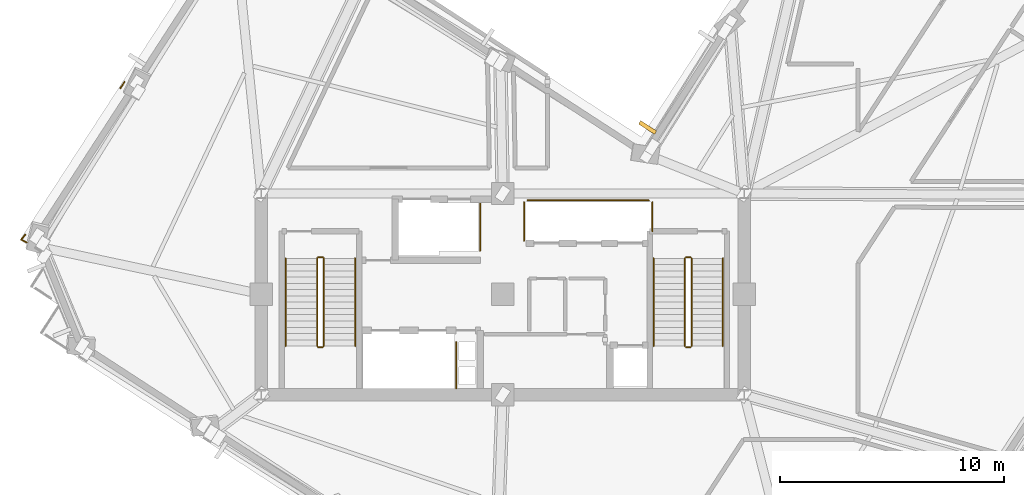
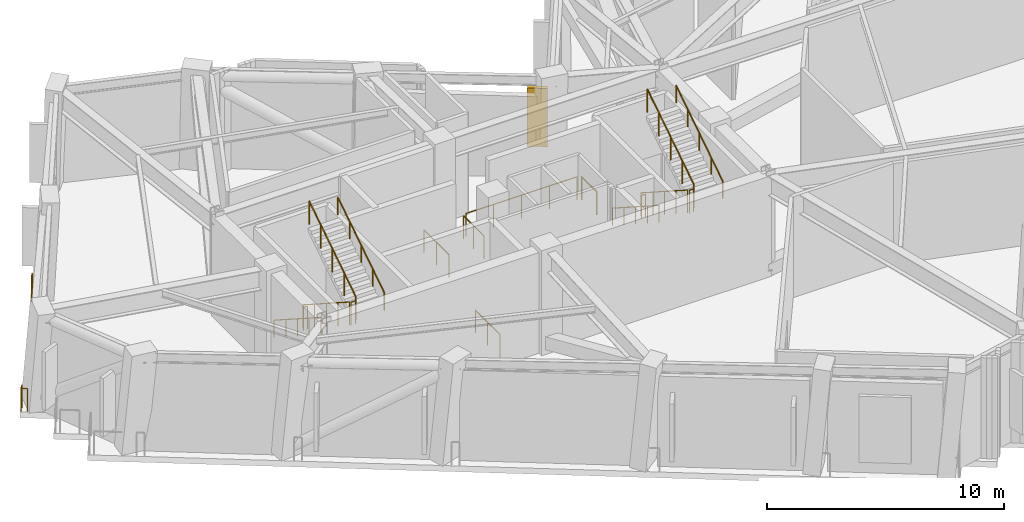
# One storey, part 8 of 11: 19 railings, 1 shading device.
"""IFC4 building model written with IfcOpenShell, lengths in metres."""

from ifc_helpers import new_model, si_unit, direction, frame, origin, origin_2d, place, context, subcontext, project, spatial, rectangle, circle, extrude, material, layer, layer_set, type_object, element, save


model = new_model("IFC4")

# Units and contexts
model_context = context("Model", 3, precision=1e-05, world=origin(), true_north=direction((0.0, 1.0)))
body_context = subcontext(model_context, "Body", "Model", "MODEL_VIEW")
ifc_project = project(units=[si_unit("LENGTHUNIT", "METRE"), si_unit("AREAUNIT", "SQUARE_METRE"), si_unit("VOLUMEUNIT", "CUBIC_METRE"), si_unit("PLANEANGLEUNIT", "RADIAN"), si_unit("MASSUNIT", "GRAM", prefix="KILO")], contexts=[model_context])

# Site, building, storey
site_placement = place(None, origin())
site = spatial("IfcSite", under=ifc_project, at=site_placement, CompositionType="ELEMENT")
building_placement = place(site_placement, origin())
building = spatial("IfcBuilding", under=site, at=building_placement, Name="Gaonmaruhae Medical Tower", CompositionType="ELEMENT")
storey_placement = place(building_placement, frame((0.0, 0.0, 267.199951171875)))
storey = spatial("IfcBuildingStorey", under=building, at=storey_placement, Name="L64", CompositionType="ELEMENT", Elevation=267.199951171875)

# Railings
ifc_material_1 = material(Name="Stainless steel 316L and laminated safety glass", Category="steel")
ifc_layer = layer(ifc_material_1, 0.080078125)
ifc_layer_set = layer_set([ifc_layer], Name="Stainless steel 316L and laminated safety glass")
railing_type_1 = type_object("IfcRailingType", Name="GD-120 Outdoor Terrace Safety Glass & Steel Balustrade", PredefinedType="BALUSTRADE", material=ifc_layer_set)
railing_1_placement = place(storey_placement, frame((7.884033203125, 21.793701171875, 0.0)))
element("IfcRailing", 1, at=railing_1_placement, inside=storey, type_object=railing_type_1, Name="L64 Perimeter Slab Edge Safety Balustrade 09", PredefinedType="BALUSTRADE", context=body_context, shape_type="SweptSolid", body=[
    extrude(circle(Radius=0.02392578125, at=origin_2d()), frame((0.0, 0.0, 1.17578125), z_axis=(-0.544836150977, -0.838542526404, 0.0), x_axis=(0.838542526404, -0.544836150977, 0.0)), (0.0, 0.0, 1.0), 0.33837890625),
    extrude(circle(Radius=0.02099609375, at=origin_2d()), origin(), (0.0, 0.0, 1.0), 1.15185546875),
    extrude(circle(Radius=0.02099609375, at=origin_2d()), frame((-0.184326171875, -0.28369140625, 0.0)), (0.0, 0.0, 1.0), 1.15185546875),
])
railing_2_placement = place(storey_placement, frame((3.443603515625, 14.956298828125, 0.0)))
element("IfcRailing", 2, at=railing_2_placement, inside=storey, type_object=railing_type_1, Name="L64 Perimeter Corner Safety Balustrade 22", PredefinedType="BALUSTRADE", context=body_context, shape_type="SweptSolid", body=[
    extrude(circle(Radius=0.02392578125, at=origin_2d()), frame((0.0, 0.0, 1.17578125), z_axis=(-0.642773256367, -0.766056486755, 0.0), x_axis=(0.766056486755, -0.642773256367, 0.0)), (0.0, 0.0, 1.0), 0.287109375),
    extrude(circle(Radius=0.02392578125, at=origin_2d()), frame((-0.1845703125, -0.219970703125, 1.17578125), z_axis=(0.898637671992, -0.438691616602, 0.0), x_axis=(0.438691616602, 0.898637671992, 0.0)), (0.0, 0.0, 1.0), 0.287109375),
    extrude(circle(Radius=0.02099609375, at=origin_2d()), origin(), (0.0, 0.0, 1.0), 1.15185546875),
    extrude(circle(Radius=0.02099609375, at=origin_2d()), frame((-0.1845703125, -0.219970703125, 0.0)), (0.0, 0.0, 1.0), 1.15185546875),
    extrude(circle(Radius=0.02099609375, at=origin_2d()), frame((0.073486328125, -0.345947265625, 0.0)), (0.0, 0.0, 1.0), 1.15185546875),
])
ifc_material_2 = material(Name="Stainless steel 304 handrail", Category="steel")
railing_type_2 = type_object("IfcRailingType", Name="HR-092 Continuous Stainless Steel Stair Handrail", PredefinedType="HANDRAIL", material=ifc_material_2)
railing_3_placement = place(storey_placement, frame((15.10009765625, 13.89990234375, 0.179931640625)))
element("IfcRailing", 3, at=railing_3_placement, inside=storey, type_object=railing_type_2, Name="L64 ST-01 stair handrail 1", PredefinedType="HANDRAIL", context=body_context, shape_type="SweptSolid", body=[
    extrude(circle(Radius=0.02392578125, at=origin_2d()), frame((0.0, 0.0, 0.8759765625), z_axis=(0.0, -0.841171666519, 0.540768182723), x_axis=(1.0, 0.0, 0.0)), (0.0, 0.0, 1.0), 4.66015625),
    extrude(circle(Radius=0.02099609375, at=origin_2d()), origin(), (0.0, 0.0, 1.0), 0.851806640625),
    extrude(circle(Radius=0.02099609375, at=origin_2d()), frame((0.0, -0.97998046875, 0.6298828125)), (0.0, 0.0, 1.0), 0.851806640625),
    extrude(circle(Radius=0.02099609375, at=origin_2d()), frame((0.0, -1.9599609375, 1.260009765625)), (0.0, 0.0, 1.0), 0.851806640625),
    extrude(circle(Radius=0.02099609375, at=origin_2d()), frame((0.0, -2.93994140625, 1.89013671875)), (0.0, 0.0, 1.0), 0.851806640625),
    extrude(circle(Radius=0.02099609375, at=origin_2d()), frame((0.0, -3.919921875, 2.52001953125)), (0.0, 0.0, 1.0), 0.851806640625),
])
railing_4_placement = place(storey_placement, frame((18.199951171875, 9.97998046875, 2.880126953125)))
element("IfcRailing", 4, at=railing_4_placement, inside=storey, type_object=railing_type_2, Name="L64 ST-01 stair handrail 2", PredefinedType="HANDRAIL", context=body_context, shape_type="SweptSolid", body=[
    extrude(circle(Radius=0.02392578125, at=origin_2d()), frame((0.0, 0.0, 0.8759765625), z_axis=(0.0, 0.841171666519, 0.540768182723), x_axis=(-1.0, 0.0, 0.0)), (0.0, 0.0, 1.0), 4.66015625),
    extrude(circle(Radius=0.02099609375, at=origin_2d()), origin(), (0.0, 0.0, 1.0), 0.851806640625),
    extrude(circle(Radius=0.02099609375, at=origin_2d()), frame((0.0, 0.97998046875, 0.6298828125)), (0.0, 0.0, 1.0), 0.851806640625),
    extrude(circle(Radius=0.02099609375, at=origin_2d()), frame((0.0, 1.9599609375, 1.260009765625)), (0.0, 0.0, 1.0), 0.851806640625),
    extrude(circle(Radius=0.02099609375, at=origin_2d()), frame((0.0, 2.93994140625, 1.89013671875)), (0.0, 0.0, 1.0), 0.851806640625),
    extrude(circle(Radius=0.02099609375, at=origin_2d()), frame((0.0, 3.919921875, 2.52001953125)), (0.0, 0.0, 1.0), 0.851806640625),
])
railing_5_placement = place(storey_placement, frame((31.550048828125, 13.89990234375, 0.179931640625)))
element("IfcRailing", 5, at=railing_5_placement, inside=storey, type_object=railing_type_2, Name="L64 ST-02 stair handrail 1", PredefinedType="HANDRAIL", context=body_context, shape_type="SweptSolid", body=[
    extrude(circle(Radius=0.02392578125, at=origin_2d()), frame((0.0, 0.0, 0.8759765625), z_axis=(0.0, -0.841171666519, 0.540768182723), x_axis=(1.0, 0.0, 0.0)), (0.0, 0.0, 1.0), 4.66015625),
    extrude(circle(Radius=0.02099609375, at=origin_2d()), origin(), (0.0, 0.0, 1.0), 0.851806640625),
    extrude(circle(Radius=0.02099609375, at=origin_2d()), frame((0.0, -0.97998046875, 0.6298828125)), (0.0, 0.0, 1.0), 0.851806640625),
    extrude(circle(Radius=0.02099609375, at=origin_2d()), frame((0.0, -1.9599609375, 1.260009765625)), (0.0, 0.0, 1.0), 0.851806640625),
    extrude(circle(Radius=0.02099609375, at=origin_2d()), frame((0.0, -2.93994140625, 1.89013671875)), (0.0, 0.0, 1.0), 0.851806640625),
    extrude(circle(Radius=0.02099609375, at=origin_2d()), frame((0.0, -3.919921875, 2.52001953125)), (0.0, 0.0, 1.0), 0.851806640625),
])
railing_6_placement = place(storey_placement, frame((34.64990234375, 9.97998046875, 2.880126953125)))
element("IfcRailing", 6, at=railing_6_placement, inside=storey, type_object=railing_type_2, Name="L64 ST-02 stair handrail 2", PredefinedType="HANDRAIL", context=body_context, shape_type="SweptSolid", body=[
    extrude(circle(Radius=0.02392578125, at=origin_2d()), frame((0.0, 0.0, 0.8759765625), z_axis=(0.0, 0.841171666519, 0.540768182723), x_axis=(-1.0, 0.0, 0.0)), (0.0, 0.0, 1.0), 4.66015625),
    extrude(circle(Radius=0.02099609375, at=origin_2d()), origin(), (0.0, 0.0, 1.0), 0.851806640625),
    extrude(circle(Radius=0.02099609375, at=origin_2d()), frame((0.0, 0.97998046875, 0.6298828125)), (0.0, 0.0, 1.0), 0.851806640625),
    extrude(circle(Radius=0.02099609375, at=origin_2d()), frame((0.0, 1.9599609375, 1.260009765625)), (0.0, 0.0, 1.0), 0.851806640625),
    extrude(circle(Radius=0.02099609375, at=origin_2d()), frame((0.0, 2.93994140625, 1.89013671875)), (0.0, 0.0, 1.0), 0.851806640625),
    extrude(circle(Radius=0.02099609375, at=origin_2d()), frame((0.0, 3.919921875, 2.52001953125)), (0.0, 0.0, 1.0), 0.851806640625),
])

# Shading device
ifc_material_3 = material(Name="Pigmented coral precast concrete C45/55", Category="concrete")
shading_device_type = type_object("IfcShadingDeviceType", Name="SD-FIN1 Tower Vertical Coral Precast Shading Fin", PredefinedType="USERDEFINED", material=ifc_material_3)
shading_device_placement = place(storey_placement, frame((31.28271484375, 19.75341796875, 0.83251953125), z_axis=(0.0, 0.0, 1.0), x_axis=(0.544624397369, 0.838680073562, 0.0)))
element("IfcShadingDevice", 7, at=shading_device_placement, inside=storey, type_object=shading_device_type, Name="L64 Vertical Coral Precast Shading Fin EN02", ObjectType="FIN", PredefinedType="USERDEFINED", context=body_context, shape_type="SweptSolid", body=[
    extrude(rectangle(XDim=0.179931640625, YDim=0.85009765625, at=origin_2d()), origin(), (0.0, 0.0, 1.0), 3.0),
])

# Railings
ifc_material_4 = material(Name="Stainless steel 304 balustrade", Category="steel")
railing_type_3 = type_object("IfcRailingType", Name="SG-112 Stair Well & Ramp Void Safety Balustrade", PredefinedType="BALUSTRADE", material=ifc_material_4)
railing_7_placement = place(storey_placement, frame((16.5, 13.89990234375, 0.179931640625)))
element("IfcRailing", 8, at=railing_7_placement, inside=storey, type_object=railing_type_3, Name="L64 ST-01 stair guard 1", PredefinedType="BALUSTRADE", context=body_context, shape_type="SweptSolid", body=[
    extrude(circle(Radius=0.02392578125, at=origin_2d()), frame((0.0, 0.0, 1.17578125), z_axis=(0.0, -0.841171666519, 0.540768182723), x_axis=(1.0, 0.0, 0.0)), (0.0, 0.0, 1.0), 4.66015625),
    extrude(circle(Radius=0.02099609375, at=origin_2d()), origin(), (0.0, 0.0, 1.0), 1.15185546875),
    extrude(circle(Radius=0.02099609375, at=origin_2d()), frame((0.0, -0.97998046875, 0.6298828125)), (0.0, 0.0, 1.0), 1.15185546875),
    extrude(circle(Radius=0.02099609375, at=origin_2d()), frame((0.0, -1.9599609375, 1.260009765625)), (0.0, 0.0, 1.0), 1.15185546875),
    extrude(circle(Radius=0.02099609375, at=origin_2d()), frame((0.0, -2.93994140625, 1.89013671875)), (0.0, 0.0, 1.0), 1.15185546875),
    extrude(circle(Radius=0.02099609375, at=origin_2d()), frame((0.0, -3.919921875, 2.52001953125)), (0.0, 0.0, 1.0), 1.15185546875),
])
railing_8_placement = place(storey_placement, frame((16.550048828125, 9.929931640625, 2.699951171875)))
element("IfcRailing", 9, at=railing_8_placement, inside=storey, type_object=railing_type_3, Name="L64 ST-01 stair guard 2", PredefinedType="BALUSTRADE", context=body_context, shape_type="SweptSolid", body=[
    extrude(circle(Radius=0.02392578125, at=origin_2d()), frame((0.0, 0.0, 1.17578125), z_axis=(1.0, 0.0, 0.0), x_axis=(0.0, 1.0, 0.0)), (0.0, 0.0, 1.0), 0.199951171875),
    extrude(circle(Radius=0.02099609375, at=origin_2d()), origin(), (0.0, 0.0, 1.0), 1.15185546875),
    extrude(circle(Radius=0.02099609375, at=origin_2d()), frame((0.199951171875, 0.0, 0.0)), (0.0, 0.0, 1.0), 1.15185546875),
])
railing_9_placement = place(storey_placement, frame((16.800048828125, 9.97998046875, 2.880126953125)))
element("IfcRailing", 10, at=railing_9_placement, inside=storey, type_object=railing_type_3, Name="L64 ST-01 stair guard 3", PredefinedType="BALUSTRADE", context=body_context, shape_type="SweptSolid", body=[
    extrude(circle(Radius=0.02392578125, at=origin_2d()), frame((0.0, 0.0, 1.17578125), z_axis=(0.0, 0.841171666519, 0.540768182723), x_axis=(-1.0, 0.0, 0.0)), (0.0, 0.0, 1.0), 4.66015625),
    extrude(circle(Radius=0.02099609375, at=origin_2d()), origin(), (0.0, 0.0, 1.0), 1.15185546875),
    extrude(circle(Radius=0.02099609375, at=origin_2d()), frame((0.0, 0.97998046875, 0.6298828125)), (0.0, 0.0, 1.0), 1.15185546875),
    extrude(circle(Radius=0.02099609375, at=origin_2d()), frame((0.0, 1.9599609375, 1.260009765625)), (0.0, 0.0, 1.0), 1.15185546875),
    extrude(circle(Radius=0.02099609375, at=origin_2d()), frame((0.0, 2.93994140625, 1.89013671875)), (0.0, 0.0, 1.0), 1.15185546875),
    extrude(circle(Radius=0.02099609375, at=origin_2d()), frame((0.0, 3.919921875, 2.52001953125)), (0.0, 0.0, 1.0), 1.15185546875),
])
railing_10_placement = place(storey_placement, frame((16.550048828125, 13.949951171875, 0.0)))
element("IfcRailing", 11, at=railing_10_placement, inside=storey, type_object=railing_type_3, Name="L64 ST-01 stair guard 4", PredefinedType="BALUSTRADE", context=body_context, shape_type="SweptSolid", body=[
    extrude(circle(Radius=0.02392578125, at=origin_2d()), frame((0.0, 0.0, 1.17578125), z_axis=(1.0, 0.0, 0.0), x_axis=(0.0, 1.0, 0.0)), (0.0, 0.0, 1.0), 0.199951171875),
    extrude(circle(Radius=0.02099609375, at=origin_2d()), origin(), (0.0, 0.0, 1.0), 1.15185546875),
    extrude(circle(Radius=0.02099609375, at=origin_2d()), frame((0.199951171875, 0.0, 0.0)), (0.0, 0.0, 1.0), 1.15185546875),
])
railing_11_placement = place(storey_placement, frame((32.949951171875, 13.89990234375, 0.179931640625)))
element("IfcRailing", 12, at=railing_11_placement, inside=storey, type_object=railing_type_3, Name="L64 ST-02 stair guard 1", PredefinedType="BALUSTRADE", context=body_context, shape_type="SweptSolid", body=[
    extrude(circle(Radius=0.02392578125, at=origin_2d()), frame((0.0, 0.0, 1.17578125), z_axis=(0.0, -0.841171666519, 0.540768182723), x_axis=(1.0, 0.0, 0.0)), (0.0, 0.0, 1.0), 4.66015625),
    extrude(circle(Radius=0.02099609375, at=origin_2d()), origin(), (0.0, 0.0, 1.0), 1.15185546875),
    extrude(circle(Radius=0.02099609375, at=origin_2d()), frame((0.0, -0.97998046875, 0.6298828125)), (0.0, 0.0, 1.0), 1.15185546875),
    extrude(circle(Radius=0.02099609375, at=origin_2d()), frame((0.0, -1.9599609375, 1.260009765625)), (0.0, 0.0, 1.0), 1.15185546875),
    extrude(circle(Radius=0.02099609375, at=origin_2d()), frame((0.0, -2.93994140625, 1.89013671875)), (0.0, 0.0, 1.0), 1.15185546875),
    extrude(circle(Radius=0.02099609375, at=origin_2d()), frame((0.0, -3.919921875, 2.52001953125)), (0.0, 0.0, 1.0), 1.15185546875),
])
railing_12_placement = place(storey_placement, frame((33.0, 9.929931640625, 2.699951171875)))
element("IfcRailing", 13, at=railing_12_placement, inside=storey, type_object=railing_type_3, Name="L64 ST-02 stair guard 2", PredefinedType="BALUSTRADE", context=body_context, shape_type="SweptSolid", body=[
    extrude(circle(Radius=0.02392578125, at=origin_2d()), frame((0.0, 0.0, 1.17578125), z_axis=(1.0, 0.0, 0.0), x_axis=(0.0, 1.0, 0.0)), (0.0, 0.0, 1.0), 0.199951171875),
    extrude(circle(Radius=0.02099609375, at=origin_2d()), origin(), (0.0, 0.0, 1.0), 1.15185546875),
    extrude(circle(Radius=0.02099609375, at=origin_2d()), frame((0.199951171875, 0.0, 0.0)), (0.0, 0.0, 1.0), 1.15185546875),
])
railing_13_placement = place(storey_placement, frame((33.25, 9.97998046875, 2.880126953125)))
element("IfcRailing", 14, at=railing_13_placement, inside=storey, type_object=railing_type_3, Name="L64 ST-02 stair guard 3", PredefinedType="BALUSTRADE", context=body_context, shape_type="SweptSolid", body=[
    extrude(circle(Radius=0.02392578125, at=origin_2d()), frame((0.0, 0.0, 1.17578125), z_axis=(0.0, 0.841171666519, 0.540768182723), x_axis=(-1.0, 0.0, 0.0)), (0.0, 0.0, 1.0), 4.66015625),
    extrude(circle(Radius=0.02099609375, at=origin_2d()), origin(), (0.0, 0.0, 1.0), 1.15185546875),
    extrude(circle(Radius=0.02099609375, at=origin_2d()), frame((0.0, 0.97998046875, 0.6298828125)), (0.0, 0.0, 1.0), 1.15185546875),
    extrude(circle(Radius=0.02099609375, at=origin_2d()), frame((0.0, 1.9599609375, 1.260009765625)), (0.0, 0.0, 1.0), 1.15185546875),
    extrude(circle(Radius=0.02099609375, at=origin_2d()), frame((0.0, 2.93994140625, 1.89013671875)), (0.0, 0.0, 1.0), 1.15185546875),
    extrude(circle(Radius=0.02099609375, at=origin_2d()), frame((0.0, 3.919921875, 2.52001953125)), (0.0, 0.0, 1.0), 1.15185546875),
])
railing_14_placement = place(storey_placement, frame((33.0, 13.949951171875, 0.0)))
element("IfcRailing", 15, at=railing_14_placement, inside=storey, type_object=railing_type_3, Name="L64 ST-02 stair guard 4", PredefinedType="BALUSTRADE", context=body_context, shape_type="SweptSolid", body=[
    extrude(circle(Radius=0.02392578125, at=origin_2d()), frame((0.0, 0.0, 1.17578125), z_axis=(1.0, 0.0, 0.0), x_axis=(0.0, 1.0, 0.0)), (0.0, 0.0, 1.0), 0.199951171875),
    extrude(circle(Radius=0.02099609375, at=origin_2d()), origin(), (0.0, 0.0, 1.0), 1.15185546875),
    extrude(circle(Radius=0.02099609375, at=origin_2d()), frame((0.199951171875, 0.0, 0.0)), (0.0, 0.0, 1.0), 1.15185546875),
])
railing_15_placement = place(storey_placement, frame((22.719970703125, 10.159912109375, 0.0)))
element("IfcRailing", 16, at=railing_15_placement, inside=storey, type_object=railing_type_3, Name="L64 Shaft Edge Safety Guard 24", PredefinedType="BALUSTRADE", context=body_context, shape_type="SweptSolid", body=[
    extrude(circle(Radius=0.02392578125, at=origin_2d()), frame((0.0, 0.0, 1.17578125), z_axis=(0.0, -1.0, 0.0), x_axis=(1.0, 0.0, 0.0)), (0.0, 0.0, 1.0), 2.06494140625),
    extrude(circle(Radius=0.02099609375, at=origin_2d()), origin(), (0.0, 0.0, 1.0), 1.15185546875),
    extrude(circle(Radius=0.02099609375, at=origin_2d()), frame((0.0, -1.032470703125, 0.0)), (0.0, 0.0, 1.0), 1.15185546875),
    extrude(circle(Radius=0.02099609375, at=origin_2d()), frame((0.0, -2.06494140625, 0.0)), (0.0, 0.0, 1.0), 1.15185546875),
])
railing_16_placement = place(storey_placement, frame((23.794921875, 16.35498046875, 0.0)))
element("IfcRailing", 17, at=railing_16_placement, inside=storey, type_object=railing_type_3, Name="L64 Shaft Edge Safety Guard 25", PredefinedType="BALUSTRADE", context=body_context, shape_type="SweptSolid", body=[
    extrude(circle(Radius=0.02392578125, at=origin_2d()), frame((0.0, 0.0, 1.17578125), z_axis=(0.0, -1.0, 0.0), x_axis=(1.0, 0.0, 0.0)), (0.0, 0.0, 1.0), 2.10986328125),
    extrude(circle(Radius=0.02099609375, at=origin_2d()), origin(), (0.0, 0.0, 1.0), 1.15185546875),
    extrude(circle(Radius=0.02099609375, at=origin_2d()), frame((0.0, -1.054931640625, 0.0)), (0.0, 0.0, 1.0), 1.15185546875),
    extrude(circle(Radius=0.02099609375, at=origin_2d()), frame((0.0, -2.10986328125, 0.0)), (0.0, 0.0, 1.0), 1.15185546875),
])
railing_17_placement = place(storey_placement, frame((31.4951171875, 16.405029296875, 0.0)))
element("IfcRailing", 18, at=railing_17_placement, inside=storey, type_object=railing_type_3, Name="L64 Shaft Edge Safety Guard 26", PredefinedType="BALUSTRADE", context=body_context, shape_type="SweptSolid", body=[
    extrude(circle(Radius=0.02392578125, at=origin_2d()), frame((0.0, 0.0, 1.17578125), z_axis=(0.0, -1.0, 0.0), x_axis=(1.0, 0.0, 0.0)), (0.0, 0.0, 1.0), 1.284912109375),
    extrude(circle(Radius=0.02099609375, at=origin_2d()), origin(), (0.0, 0.0, 1.0), 1.15185546875),
    extrude(circle(Radius=0.02099609375, at=origin_2d()), frame((0.0, -1.284912109375, 0.0)), (0.0, 0.0, 1.0), 1.15185546875),
])
railing_18_placement = place(storey_placement, frame((25.7548828125, 14.695068359375, 0.0)))
element("IfcRailing", 19, at=railing_18_placement, inside=storey, type_object=railing_type_3, Name="L64 Shaft Edge Safety Guard 27", PredefinedType="BALUSTRADE", context=body_context, shape_type="SweptSolid", body=[
    extrude(circle(Radius=0.02392578125, at=origin_2d()), frame((0.0, 0.0, 1.17578125), z_axis=(0.0, 1.0, 0.0), x_axis=(-1.0, 0.0, 0.0)), (0.0, 0.0, 1.0), 1.7099609375),
    extrude(circle(Radius=0.02099609375, at=origin_2d()), origin(), (0.0, 0.0, 1.0), 1.15185546875),
    extrude(circle(Radius=0.02099609375, at=origin_2d()), frame((0.0, 0.85498046875, 0.0)), (0.0, 0.0, 1.0), 1.15185546875),
    extrude(circle(Radius=0.02099609375, at=origin_2d()), frame((0.0, 1.7099609375, 0.0)), (0.0, 0.0, 1.0), 1.15185546875),
])
railing_19_placement = place(storey_placement, frame((25.919921875, 16.4951171875, 0.0)))
element("IfcRailing", 20, at=railing_19_placement, inside=storey, type_object=railing_type_3, Name="L64 Shaft Edge Safety Guard 28", PredefinedType="BALUSTRADE", context=body_context, shape_type="SweptSolid", body=[
    extrude(circle(Radius=0.02392578125, at=origin_2d()), frame((0.0, 0.0, 1.17578125), z_axis=(1.0, 0.0, 0.0), x_axis=(0.0, 1.0, 0.0)), (0.0, 0.0, 1.0), 5.41015625),
    extrude(circle(Radius=0.02099609375, at=origin_2d()), origin(), (0.0, 0.0, 1.0), 1.15185546875),
    extrude(circle(Radius=0.02099609375, at=origin_2d()), frame((1.3525390625, 0.0, 0.0)), (0.0, 0.0, 1.0), 1.15185546875),
    extrude(circle(Radius=0.02099609375, at=origin_2d()), frame((2.705078125, 0.0, 0.0)), (0.0, 0.0, 1.0), 1.15185546875),
    extrude(circle(Radius=0.02099609375, at=origin_2d()), frame((4.0576171875, 0.0, 0.0)), (0.0, 0.0, 1.0), 1.15185546875),
    extrude(circle(Radius=0.02099609375, at=origin_2d()), frame((5.41015625, 0.0, 0.0)), (0.0, 0.0, 1.0), 1.15185546875),
])

save(model, "model.ifc")
